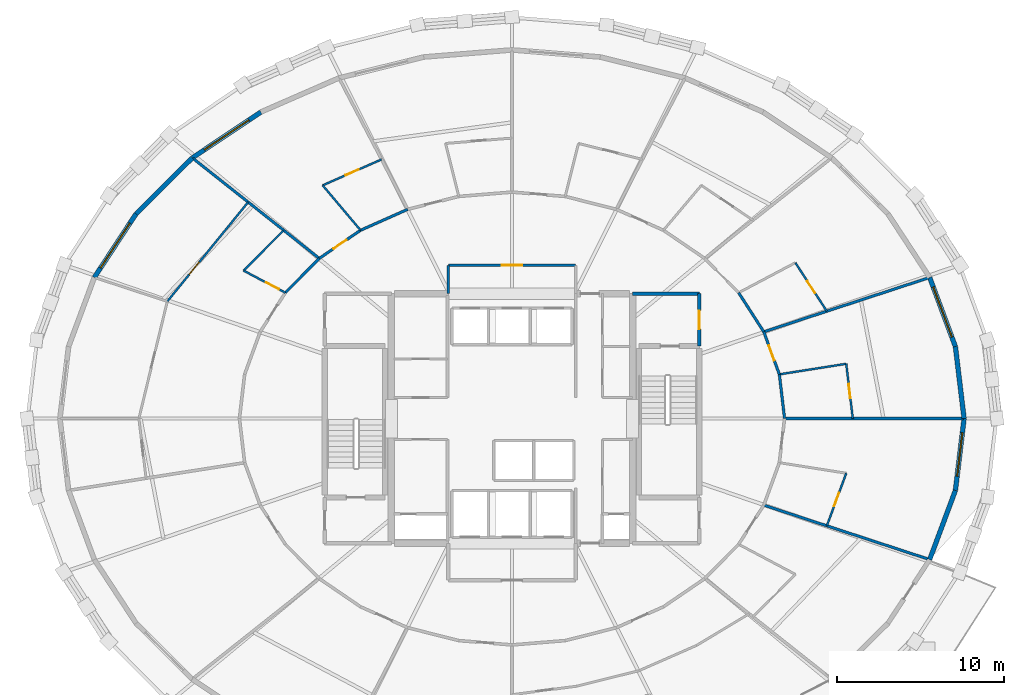
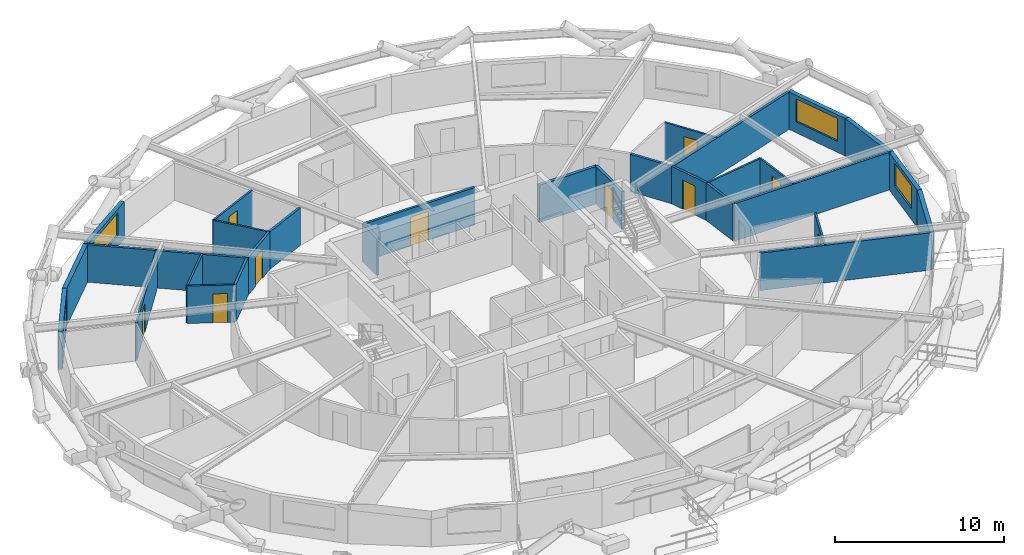
# One storey, part 12 of 14: 30 walls, 10 doors, 4 windows, 14 openings.
"""IFC4 building model written with IfcOpenShell, lengths in metres."""

from ifc_helpers import new_model, si_unit, direction, frame, frame_2d, origin, place, context, subcontext, project, spatial, rectangle, extrude, material, layer, layer_set, type_object, element, fill, save


model = new_model("IFC4")

# Units and contexts
model_context = context("Model", 3, precision=1e-05, world=origin(), true_north=direction((0.0, 1.0)))
body_context = subcontext(model_context, "Body", "Model", "MODEL_VIEW")
ifc_project = project(units=[si_unit("LENGTHUNIT", "METRE"), si_unit("AREAUNIT", "SQUARE_METRE"), si_unit("VOLUMEUNIT", "CUBIC_METRE"), si_unit("PLANEANGLEUNIT", "RADIAN"), si_unit("MASSUNIT", "GRAM", prefix="KILO")], contexts=[model_context])

# Site, building, storey
site_placement = place(None, origin())
site = spatial("IfcSite", under=ifc_project, at=site_placement, CompositionType="ELEMENT")
building_placement = place(site_placement, origin())
building = spatial("IfcBuilding", under=site, at=building_placement, Name="Veldorina Hangang Commons", CompositionType="ELEMENT")
storey_placement = place(building_placement, frame((0.0, 0.0, 88.0)))
storey = spatial("IfcBuildingStorey", under=building, at=storey_placement, Name="L22", CompositionType="ELEMENT", Elevation=88.0)

# Wall
ifc_material_1 = material(Name="Stone Roman Travertine", Category="masonry")
ifc_layer_1 = layer(ifc_material_1, 0.280029296875)
ifc_layer_set_1 = layer_set([ifc_layer_1], Name="Stone Roman Travertine")
wall_type_1 = type_object("IfcWallType", Name="EW-TRAV-280", PredefinedType="STANDARD", material=ifc_layer_set_1)
wall_1_placement = place(storey_placement, frame((58.99169921875, 24.0, 0.0), z_axis=(0.0, 0.0, 1.0), x_axis=(-0.11991322244, 0.992784376934, 0.0)))
element("IfcWall", 1, at=wall_1_placement, inside=storey, type_object=wall_type_1, Name="L22 travertine facade wall 00", PredefinedType="STANDARD", context=body_context, shape_type="SweptSolid", body=[
    extrude(rectangle(XDim=4.324462890625, YDim=0.280029296875, at=frame_2d((2.162109375, 0.0))), origin(), (0.0, 0.0, 1.0), 2.7099609375),
])

# Wall, opening, window
wall_2_placement = place(storey_placement, frame((58.47314453125, 28.293212890625, 0.0), z_axis=(0.0, 0.0, 1.0), x_axis=(-0.348747298865, 0.937216795376, 0.0)))
wall_2 = element("IfcWall", 2, at=wall_2_placement, inside=storey, type_object=wall_type_1, Name="L22 travertine facade wall 01", PredefinedType="STANDARD", context=body_context, shape_type="SweptSolid", body=[
    extrude(rectangle(XDim=4.40478515625, YDim=0.280029296875, at=frame_2d((2.202392578125, 0.0))), origin(), (0.0, 0.0, 1.0), 2.7099609375),
])
opening_1_placement = place(wall_2_placement, frame((0.602294921875, 0.0, 0.800048828125)))
opening_1 = element("IfcOpeningElement", 3, at=opening_1_placement, cuts=wall_2, Name="Opening W-01", PredefinedType="OPENING", context=body_context, shape_type="SweptSolid", body=[
    extrude(rectangle(XDim=3.199951171875, YDim=1.64990234375, at=frame_2d((1.60009765625, 0.824951171875))), frame((0.0, 0.14990234375, 0.0), z_axis=(0.0, -1.0, 0.0), x_axis=(1.0, 0.0, 0.0)), (0.0, 0.0, 1.0), 0.300048828125),
])
ifc_material_2 = material(Name="Glass Low-E Triple IGU", Category="glass")
window_type_1 = type_object("IfcWindowType", Name="WIN-TWR-3200", PartitioningType="SINGLE_PANEL", PredefinedType="WINDOW", material=ifc_material_2)
window_1_placement = place(opening_1_placement, origin())
window_1 = element("IfcWindow", 4, at=window_1_placement, inside=storey, type_object=window_type_1, Name="L22 facade window 01", OverallHeight=1.64990234375, OverallWidth=3.199951171875, PartitioningType="SINGLE_PANEL", PredefinedType="WINDOW", context=body_context, shape_type="SweptSolid", body=[
    extrude(rectangle(XDim=3.199951171875, YDim=1.64990234375, at=frame_2d((1.60009765625, 0.824951171875))), frame((0.0, 0.030029296875, 0.0), z_axis=(0.0, -1.0, 0.0), x_axis=(1.0, 0.0, 0.0)), (0.0, 0.0, 1.0), 0.06005859375),
])
fill(opening_1, window_1)

wall_3_placement = place(storey_placement, frame((17.004150390625, 42.297607421875, 0.0), z_axis=(0.0, 0.0, 1.0), x_axis=(-0.831102692713, -0.556118974829, 0.0)))
wall_3 = element("IfcWall", 5, at=wall_3_placement, inside=storey, type_object=wall_type_1, Name="L22 travertine facade wall 11", PredefinedType="STANDARD", context=body_context, shape_type="SweptSolid", body=[
    extrude(rectangle(XDim=4.92138671875, YDim=0.280029296875, at=frame_2d((2.460693359375, 0.0))), origin(), (0.0, 0.0, 1.0), 2.7099609375),
])
opening_2_placement = place(wall_3_placement, frame((0.860595703125, 0.0, 0.800048828125)))
opening_2 = element("IfcOpeningElement", 6, at=opening_2_placement, cuts=wall_3, Name="Opening W-01", PredefinedType="OPENING", context=body_context, shape_type="SweptSolid", body=[
    extrude(rectangle(XDim=3.199951171875, YDim=1.64990234375, at=frame_2d((1.60009765625, 0.824951171875))), frame((0.0, 0.14990234375, 0.0), z_axis=(0.0, -1.0, 0.0), x_axis=(1.0, 0.0, 0.0)), (0.0, 0.0, 1.0), 0.300048828125),
])
window_2_placement = place(opening_2_placement, origin())
window_2 = element("IfcWindow", 7, at=window_2_placement, inside=storey, type_object=window_type_1, Name="L22 facade window 11", OverallHeight=1.64990234375, OverallWidth=3.199951171875, PartitioningType="SINGLE_PANEL", PredefinedType="WINDOW", context=body_context, shape_type="SweptSolid", body=[
    extrude(rectangle(XDim=3.199951171875, YDim=1.64990234375, at=frame_2d((1.60009765625, 0.824951171875))), frame((0.0, 0.030029296875, 0.0), z_axis=(0.0, -1.0, 0.0), x_axis=(1.0, 0.0, 0.0)), (0.0, 0.0, 1.0), 0.06005859375),
])
fill(opening_2, window_2)

# Wall
wall_4_placement = place(storey_placement, frame((12.9140625, 39.560791015625, 0.0), z_axis=(0.0, 0.0, 1.0), x_axis=(-0.709450520297, -0.704755247763, 0.0)))
element("IfcWall", 8, at=wall_4_placement, inside=storey, type_object=wall_type_1, Name="L22 travertine facade wall 12", PredefinedType="STANDARD", context=body_context, shape_type="SweptSolid", body=[
    extrude(rectangle(XDim=4.731689453125, YDim=0.280029296875, at=frame_2d((2.36572265625, 0.0))), origin(), (0.0, 0.0, 1.0), 2.7099609375),
])

# Wall, opening, window
wall_5_placement = place(storey_placement, frame((9.55712890625, 36.22607421875, 0.0), z_axis=(0.0, 0.0, 1.0), x_axis=(-0.548243756992, -0.836318589366, 0.0)))
wall_5 = element("IfcWall", 9, at=wall_5_placement, inside=storey, type_object=wall_type_1, Name="L22 travertine facade wall 13", PredefinedType="STANDARD", context=body_context, shape_type="SweptSolid", body=[
    extrude(rectangle(XDim=4.54931640625, YDim=0.280029296875, at=frame_2d((2.274658203125, 0.0))), origin(), (0.0, 0.0, 1.0), 2.7099609375),
])
opening_3_placement = place(wall_5_placement, frame((0.6748046875, 0.0, 0.800048828125)))
opening_3 = element("IfcOpeningElement", 10, at=opening_3_placement, cuts=wall_5, Name="Opening W-01", PredefinedType="OPENING", context=body_context, shape_type="SweptSolid", body=[
    extrude(rectangle(XDim=3.199951171875, YDim=1.64990234375, at=frame_2d((1.60009765625, 0.824951171875))), frame((0.0, 0.14990234375, 0.0), z_axis=(0.0, -1.0, 0.0), x_axis=(1.0, 0.0, 0.0)), (0.0, 0.0, 1.0), 0.300048828125),
])
window_3_placement = place(opening_3_placement, origin())
window_3 = element("IfcWindow", 11, at=window_3_placement, inside=storey, type_object=window_type_1, Name="L22 facade window 13", OverallHeight=1.64990234375, OverallWidth=3.199951171875, PartitioningType="SINGLE_PANEL", PredefinedType="WINDOW", context=body_context, shape_type="SweptSolid", body=[
    extrude(rectangle(XDim=3.199951171875, YDim=1.64990234375, at=frame_2d((1.60009765625, 0.824951171875))), frame((0.0, 0.030029296875, 0.0), z_axis=(0.0, -1.0, 0.0), x_axis=(1.0, 0.0, 0.0)), (0.0, 0.0, 1.0), 0.06005859375),
])
fill(opening_3, window_3)

# Wall
wall_6_placement = place(storey_placement, frame((56.93701171875, 15.57861328125, 0.0), z_axis=(0.0, 0.0, 1.0), x_axis=(0.348747298865, 0.937216795376, 0.0)))
element("IfcWall", 12, at=wall_6_placement, inside=storey, type_object=wall_type_1, Name="L22 travertine facade wall 30", PredefinedType="STANDARD", context=body_context, shape_type="SweptSolid", body=[
    extrude(rectangle(XDim=4.40478515625, YDim=0.280029296875, at=frame_2d((2.202392578125, 0.0))), origin(), (0.0, 0.0, 1.0), 2.7099609375),
])

# Wall, opening, window
wall_7_placement = place(storey_placement, frame((58.47314453125, 19.706787109375, 0.0), z_axis=(0.0, 0.0, 1.0), x_axis=(0.11991322244, 0.992784376934, 0.0)))
wall_7 = element("IfcWall", 13, at=wall_7_placement, inside=storey, type_object=wall_type_1, Name="L22 travertine facade wall 31", PredefinedType="STANDARD", context=body_context, shape_type="SweptSolid", body=[
    extrude(rectangle(XDim=4.324462890625, YDim=0.280029296875, at=frame_2d((2.162109375, 0.0))), origin(), (0.0, 0.0, 1.0), 2.7099609375),
])
opening_4_placement = place(wall_7_placement, frame((0.8623046875, 0.0, 0.800048828125)))
opening_4 = element("IfcOpeningElement", 14, at=opening_4_placement, cuts=wall_7, Name="Opening W-02", PredefinedType="OPENING", context=body_context, shape_type="SweptSolid", body=[
    extrude(rectangle(XDim=2.60009765625, YDim=1.64990234375, at=frame_2d((1.300048828125, 0.824951171875))), frame((0.0, 0.14990234375, 0.0), z_axis=(0.0, -1.0, 0.0), x_axis=(1.0, 0.0, 0.0)), (0.0, 0.0, 1.0), 0.300048828125),
])
window_type_2 = type_object("IfcWindowType", Name="WIN-TWR-2600", PartitioningType="SINGLE_PANEL", PredefinedType="WINDOW", material=ifc_material_2)
window_4_placement = place(opening_4_placement, origin())
window_4 = element("IfcWindow", 15, at=window_4_placement, inside=storey, type_object=window_type_2, Name="L22 facade window 31", OverallHeight=1.64990234375, OverallWidth=2.60009765625, PartitioningType="SINGLE_PANEL", PredefinedType="WINDOW", context=body_context, shape_type="SweptSolid", body=[
    extrude(rectangle(XDim=2.60009765625, YDim=1.64990234375, at=frame_2d((1.300048828125, 0.824951171875))), frame((0.0, 0.030029296875, 0.0), z_axis=(0.0, -1.0, 0.0), x_axis=(1.0, 0.0, 0.0)), (0.0, 0.0, 1.0), 0.06005859375),
])
fill(opening_4, window_4)

# Wall
ifc_material_3 = material(Name="Gypsum Fire-Rated Twin Stud Wall", Category="gypsum")
ifc_layer_2 = layer(ifc_material_3, 0.159912109375)
ifc_layer_set_2 = layer_set([ifc_layer_2], Name="Gypsum Fire-Rated Twin Stud Wall")
wall_type_2 = type_object("IfcWallType", Name="WL-FIRE-160", PredefinedType="SOLIDWALL", material=ifc_layer_set_2)
wall_8_placement = place(storey_placement, frame((28.199951171875, 31.449951171875, 0.0), z_axis=(0.0, 0.0, 1.0), x_axis=(0.0, 1.0, 0.0)))
element("IfcWall", 16, at=wall_8_placement, inside=storey, type_object=wall_type_2, Name="L22 North lobby west wall 032", PredefinedType="SOLIDWALL", context=body_context, shape_type="SweptSolid", body=[
    extrude(rectangle(XDim=1.699951171875, YDim=0.159912109375, at=frame_2d((0.85009765625, 0.0))), origin(), (0.0, 0.0, 1.0), 2.7099609375),
])

# Wall, opening, door
wall_9_placement = place(storey_placement, frame((28.199951171875, 33.14990234375, 0.0), z_axis=(0.0, 0.0, 1.0), x_axis=(1.0, 0.0, 0.0)))
wall_9 = element("IfcWall", 17, at=wall_9_placement, inside=storey, type_object=wall_type_2, Name="L22 North lobby north wall 034", PredefinedType="SOLIDWALL", context=body_context, shape_type="SweptSolid", body=[
    extrude(rectangle(XDim=7.60009765625, YDim=0.159912109375, at=frame_2d((3.800048828125, 0.0))), origin(), (0.0, 0.0, 1.0), 2.7099609375),
])
opening_5_placement = place(wall_9_placement, frame((3.199951171875, 0.0, 0.0)))
opening_5 = element("IfcOpeningElement", 18, at=opening_5_placement, cuts=wall_9, Name="Opening D-09", PredefinedType="OPENING", context=body_context, shape_type="SweptSolid", body=[
    extrude(rectangle(XDim=1.199951171875, YDim=2.10009765625, at=frame_2d((0.60009765625, 1.050048828125))), frame((0.0, 0.08984375, 0.0), z_axis=(0.0, -1.0, 0.0), x_axis=(1.0, 0.0, 0.0)), (0.0, 0.0, 1.0), 0.179931640625),
])
ifc_material_4 = material(Name="Steel Fire-Rated Corridor Door", Category="steel")
door_type_1 = type_object("IfcDoorType", Name="DR-FIRE-1200", OperationType="SINGLE_SWING_LEFT", PredefinedType="DOOR", material=ifc_material_4)
door_1_placement = place(opening_5_placement, origin())
door_1 = element("IfcDoor", 19, at=door_1_placement, inside=storey, type_object=door_type_1, Name="L22 North lift lobby corridor door 012", OperationType="SINGLE_SWING_RIGHT", OverallHeight=2.10009765625, OverallWidth=1.199951171875, PredefinedType="DOOR", context=body_context, shape_type="SweptSolid", body=[
    extrude(rectangle(XDim=1.199951171875, YDim=2.10009765625, at=frame_2d((0.60009765625, 1.050048828125))), frame((0.0, 0.02490234375, 0.0), z_axis=(0.0, -1.0, 0.0), x_axis=(1.0, 0.0, 0.0)), (0.0, 0.0, 1.0), 0.050048828125),
])
fill(opening_5, door_1)

# Wall
wall_10_placement = place(storey_placement, frame((48.27392578125, 24.0, 0.0), z_axis=(0.0, 0.0, 1.0), x_axis=(-0.117763961213, 0.99304161516, 0.0)))
element("IfcWall", 20, at=wall_10_placement, inside=storey, type_object=wall_type_2, Name="L22 Corridor outer wall 00 047", PredefinedType="SOLIDWALL", context=body_context, shape_type="SweptSolid", body=[
    extrude(rectangle(XDim=2.65576171875, YDim=0.159912109375, at=frame_2d((1.327880859375, 0.0))), origin(), (0.0, 0.0, 1.0), 2.7099609375),
])

# Wall, opening, door
wall_11_placement = place(storey_placement, frame((47.961181640625, 26.63720703125, 0.0), z_axis=(0.0, 0.0, 1.0), x_axis=(-0.343013437329, 0.939330496583, 0.0)))
wall_11 = element("IfcWall", 21, at=wall_11_placement, inside=storey, type_object=wall_type_2, Name="L22 Corridor outer wall 01 048", PredefinedType="SOLIDWALL", context=body_context, shape_type="SweptSolid", body=[
    extrude(rectangle(XDim=2.69970703125, YDim=0.159912109375, at=frame_2d((1.349853515625, 0.0))), origin(), (0.0, 0.0, 1.0), 2.7099609375),
])
opening_6_placement = place(wall_11_placement, frame((0.875, 0.0, 0.0)))
opening_6 = element("IfcOpeningElement", 22, at=opening_6_placement, cuts=wall_11, Name="Opening D-03", PredefinedType="OPENING", context=body_context, shape_type="SweptSolid", body=[
    extrude(rectangle(XDim=0.949951171875, YDim=2.10009765625, at=frame_2d((0.47509765625, 1.050048828125))), frame((0.0, 0.08984375, 0.0), z_axis=(0.0, -1.0, 0.0), x_axis=(1.0, 0.0, 0.0)), (0.0, 0.0, 1.0), 0.179931640625),
])
ifc_material_5 = material(Name="Timber Fire-Rated Entrance Core", Category="wood")
door_type_2 = type_object("IfcDoorType", Name="DR-UNIT-950", OperationType="SINGLE_SWING_RIGHT", PredefinedType="DOOR", material=ifc_material_5)
door_2_placement = place(opening_6_placement, origin())
door_2 = element("IfcDoor", 23, at=door_2_placement, inside=storey, type_object=door_type_2, Name="L22 Studio 4 entrance door 028", OperationType="SINGLE_SWING_RIGHT", OverallHeight=2.10009765625, OverallWidth=0.949951171875, PredefinedType="DOOR", context=body_context, shape_type="SweptSolid", body=[
    extrude(rectangle(XDim=0.949951171875, YDim=2.10009765625, at=frame_2d((0.47509765625, 1.050048828125))), frame((0.0, 0.02490234375, 0.0), z_axis=(0.0, -1.0, 0.0), x_axis=(1.0, 0.0, 0.0)), (0.0, 0.0, 1.0), 0.050048828125),
])
fill(opening_6, door_2)

# Walls
wall_12_placement = place(storey_placement, frame((47.03515625, 29.173095703125, 0.0), z_axis=(0.0, 0.0, 1.0), x_axis=(-0.541126045017, 0.840941498206, 0.0)))
element("IfcWall", 24, at=wall_12_placement, inside=storey, type_object=wall_type_2, Name="L22 Corridor outer wall 02 049", PredefinedType="SOLIDWALL", context=body_context, shape_type="SweptSolid", body=[
    extrude(rectangle(XDim=2.779296875, YDim=0.159912109375, at=frame_2d((1.3896484375, 0.0))), origin(), (0.0, 0.0, 1.0), 2.7099609375),
])
wall_13_placement = place(storey_placement, frame((25.772216796875, 36.489013671875, 0.0), z_axis=(0.0, 0.0, 1.0), x_axis=(-0.913952123493, -0.405822024984, 0.0)))
element("IfcWall", 25, at=wall_13_placement, inside=storey, type_object=wall_type_2, Name="L22 Corridor outer wall 10 057", PredefinedType="SOLIDWALL", context=body_context, shape_type="SweptSolid", body=[
    extrude(rectangle(XDim=3.078369140625, YDim=0.159912109375, at=frame_2d((1.5390625, 0.0))), origin(), (0.0, 0.0, 1.0), 2.7099609375),
])

# Wall, opening, door
wall_14_placement = place(storey_placement, frame((22.958740234375, 35.23974609375, 0.0), z_axis=(0.0, 0.0, 1.0), x_axis=(-0.826293096206, -0.56324037423, 0.0)))
wall_14 = element("IfcWall", 26, at=wall_14_placement, inside=storey, type_object=wall_type_2, Name="L22 Corridor outer wall 11 058", PredefinedType="SOLIDWALL", context=body_context, shape_type="SweptSolid", body=[
    extrude(rectangle(XDim=2.98486328125, YDim=0.159912109375, at=frame_2d((1.492431640625, 0.0))), origin(), (0.0, 0.0, 1.0), 2.7099609375),
])
opening_7_placement = place(wall_14_placement, frame((1.017333984375, 0.0, 0.0)))
opening_7 = element("IfcOpeningElement", 27, at=opening_7_placement, cuts=wall_14, Name="Opening D-03", PredefinedType="OPENING", context=body_context, shape_type="SweptSolid", body=[
    extrude(rectangle(XDim=0.949951171875, YDim=2.10009765625, at=frame_2d((0.47509765625, 1.050048828125))), frame((0.0, 0.08984375, 0.0), z_axis=(0.0, -1.0, 0.0), x_axis=(1.0, 0.0, 0.0)), (0.0, 0.0, 1.0), 0.179931640625),
])
door_3_placement = place(opening_7_placement, origin())
door_3 = element("IfcDoor", 28, at=door_3_placement, inside=storey, type_object=door_type_2, Name="L22 Studio 9 entrance door 038", OperationType="SINGLE_SWING_RIGHT", OverallHeight=2.10009765625, OverallWidth=0.949951171875, PredefinedType="DOOR", context=body_context, shape_type="SweptSolid", body=[
    extrude(rectangle(XDim=0.949951171875, YDim=2.10009765625, at=frame_2d((0.47509765625, 1.050048828125))), frame((0.0, 0.02490234375, 0.0), z_axis=(0.0, -1.0, 0.0), x_axis=(1.0, 0.0, 0.0)), (0.0, 0.0, 1.0), 0.050048828125),
])
fill(opening_7, door_3)

# Walls
wall_15_placement = place(storey_placement, frame((20.492431640625, 33.55859375, 0.0), z_axis=(0.0, 0.0, 1.0), x_axis=(-0.702811997, -0.711375636969, 0.0)))
element("IfcWall", 29, at=wall_15_placement, inside=storey, type_object=wall_type_2, Name="L22 Corridor outer wall 12 059", PredefinedType="SOLIDWALL", context=body_context, shape_type="SweptSolid", body=[
    extrude(rectangle(XDim=2.87939453125, YDim=0.159912109375, at=frame_2d((1.439697265625, 0.0))), origin(), (0.0, 0.0, 1.0), 2.7099609375),
])
wall_16_placement = place(storey_placement, frame((47.03515625, 18.826904296875, 0.0), z_axis=(0.0, 0.0, 1.0), x_axis=(0.950181432226, -0.311697362603, 0.0)))
element("IfcWall", 30, at=wall_16_placement, inside=storey, type_object=wall_type_2, Name="L22 Unit party wall 30 087", PredefinedType="SOLIDWALL", context=body_context, shape_type="SweptSolid", body=[
    extrude(rectangle(XDim=10.37109375, YDim=0.159912109375, at=frame_2d((5.185546875, 0.0))), origin(), (0.0, 0.0, 1.0), 2.7099609375),
])
wall_17_placement = place(storey_placement, frame((48.27392578125, 24.0, 0.0), z_axis=(0.0, 0.0, 1.0), x_axis=(1.0, 0.0, 0.0)))
element("IfcWall", 31, at=wall_17_placement, inside=storey, type_object=wall_type_2, Name="L22 Unit party wall 00 090", PredefinedType="SOLIDWALL", context=body_context, shape_type="SweptSolid", body=[
    extrude(rectangle(XDim=10.667724609375, YDim=0.159912109375, at=frame_2d((5.333984375, 0.0))), origin(), (0.0, 0.0, 1.0), 2.7099609375),
])
wall_18_placement = place(storey_placement, frame((47.03515625, 29.173095703125, 0.0), z_axis=(0.0, 0.0, 1.0), x_axis=(0.950181432226, 0.311697362603, 0.0)))
element("IfcWall", 32, at=wall_18_placement, inside=storey, type_object=wall_type_2, Name="L22 Unit party wall 02 093", PredefinedType="SOLIDWALL", context=body_context, shape_type="SweptSolid", body=[
    extrude(rectangle(XDim=10.37109375, YDim=0.159912109375, at=frame_2d((5.185546875, 0.0))), origin(), (0.0, 0.0, 1.0), 2.7099609375),
])
wall_19_placement = place(storey_placement, frame((20.492431640625, 33.55859375, 0.0), z_axis=(0.0, 0.0, 1.0), x_axis=(-0.783915576776, 0.620867432298, 0.0)))
element("IfcWall", 33, at=wall_19_placement, inside=storey, type_object=wall_type_2, Name="L22 Unit party wall 12 108", PredefinedType="SOLIDWALL", context=body_context, shape_type="SweptSolid", body=[
    extrude(rectangle(XDim=9.617431640625, YDim=0.159912109375, at=frame_2d((4.80859375, 0.0))), origin(), (0.0, 0.0, 1.0), 2.7099609375),
])

# Wall, opening, door
ifc_material_6 = material(Name="Concrete Blockwork Fire Wall C30/37", Category="masonry")
ifc_layer_3 = layer(ifc_material_6, 0.199951171875)
ifc_layer_set_3 = layer_set([ifc_layer_3], Name="Concrete Blockwork Fire Wall C30/37")
wall_type_3 = type_object("IfcWallType", Name="WL-FIRE-200", PredefinedType="SOLIDWALL", material=ifc_layer_set_3)
wall_20_placement = place(storey_placement, frame((43.179931640625, 28.320068359375, 0.0), z_axis=(0.0, 0.0, 1.0), x_axis=(0.0, 1.0, 0.0)))
wall_20 = element("IfcWall", 34, at=wall_20_placement, inside=storey, type_object=wall_type_3, Name="L22 East vestibule outer wall 003", PredefinedType="SOLIDWALL", context=body_context, shape_type="SweptSolid", body=[
    extrude(rectangle(XDim=3.1298828125, YDim=0.199951171875, at=frame_2d((1.56494140625, 0.0))), origin(), (0.0, 0.0, 1.0), 2.7099609375),
])
opening_8_placement = place(wall_20_placement, frame((1.014892578125, 0.0, 0.0)))
opening_8 = element("IfcOpeningElement", 35, at=opening_8_placement, cuts=wall_20, Name="Opening D-08", PredefinedType="OPENING", context=body_context, shape_type="SweptSolid", body=[
    extrude(rectangle(XDim=1.10009765625, YDim=2.10009765625, at=frame_2d((0.550048828125, 1.050048828125))), frame((0.0, 0.10986328125, 0.0), z_axis=(0.0, -1.0, 0.0), x_axis=(1.0, 0.0, 0.0)), (0.0, 0.0, 1.0), 0.219970703125),
])
ifc_material_7 = material(Name="Steel Fire-Rated Smoke Seal", Category="steel")
door_type_3 = type_object("IfcDoorType", Name="DR-FIRE-1100", OperationType="SINGLE_SWING_RIGHT", PredefinedType="DOOR", material=ifc_material_7)
door_4_placement = place(opening_8_placement, origin())
door_4 = element("IfcDoor", 36, at=door_4_placement, inside=storey, type_object=door_type_3, Name="L22 East vestibule east door 002", OperationType="SINGLE_SWING_RIGHT", OverallHeight=2.10009765625, OverallWidth=1.10009765625, PredefinedType="DOOR", context=body_context, shape_type="SweptSolid", body=[
    extrude(rectangle(XDim=1.10009765625, YDim=2.10009765625, at=frame_2d((0.550048828125, 1.050048828125))), frame((0.0, 0.02490234375, 0.0), z_axis=(0.0, -1.0, 0.0), x_axis=(1.0, 0.0, 0.0)), (0.0, 0.0, 1.0), 0.050048828125),
])
fill(opening_8, door_4)

# Wall
wall_21_placement = place(storey_placement, frame((39.199951171875, 31.449951171875, 0.0), z_axis=(0.0, 0.0, 1.0), x_axis=(1.0, 0.0, 0.0)))
element("IfcWall", 37, at=wall_21_placement, inside=storey, type_object=wall_type_3, Name="L22 East vestibule north wall 004", PredefinedType="SOLIDWALL", context=body_context, shape_type="SweptSolid", body=[
    extrude(rectangle(XDim=3.97998046875, YDim=0.199951171875, at=frame_2d((1.989990234375, 0.0))), origin(), (0.0, 0.0, 1.0), 2.7099609375),
])

# Wall, opening, door
ifc_material_8 = material(Name="Gypsum Acoustic Stud Partition", Category="gypsum")
ifc_layer_4 = layer(ifc_material_8, 0.1201171875)
ifc_layer_set_4 = layer_set([ifc_layer_4], Name="Gypsum Acoustic Stud Partition")
wall_type_4 = type_object("IfcWallType", Name="WL-PART-120", PredefinedType="PARTITIONING", material=ifc_layer_set_4)
wall_22_placement = place(storey_placement, frame((50.7978515625, 17.592529296875, 0.0), z_axis=(0.0, 0.0, 1.0), x_axis=(0.345914895338, 0.938265892582, 0.0)))
wall_22 = element("IfcWall", 38, at=wall_22_placement, inside=storey, type_object=wall_type_4, Name="L22 Studio 3 bath front wall 088", PredefinedType="PARTITIONING", context=body_context, shape_type="SweptSolid", body=[
    extrude(rectangle(XDim=3.347412109375, YDim=0.1201171875, at=frame_2d((1.673828125, 0.0))), origin(), (0.0, 0.0, 1.0), 2.7099609375),
])
opening_9_placement = place(wall_22_placement, frame((1.243896484375, 0.0, 0.0)))
opening_9 = element("IfcOpeningElement", 39, at=opening_9_placement, cuts=wall_22, Name="Opening D-01", PredefinedType="OPENING", context=body_context, shape_type="SweptSolid", body=[
    extrude(rectangle(XDim=0.860107421875, YDim=2.10009765625, at=frame_2d((0.43017578125, 1.050048828125))), frame((0.0, 0.070068359375, 0.0), z_axis=(0.0, -1.0, 0.0), x_axis=(1.0, 0.0, 0.0)), (0.0, 0.0, 1.0), 0.14013671875),
])
ifc_material_9 = material(Name="Timber Moisture-Resistant Core", Category="wood")
door_type_4 = type_object("IfcDoorType", Name="DR-WET-860", OperationType="SINGLE_SWING_LEFT", PredefinedType="DOOR", material=ifc_material_9)
door_5_placement = place(opening_9_placement, origin())
door_5 = element("IfcDoor", 40, at=door_5_placement, inside=storey, type_object=door_type_4, Name="L22 Studio 3 bathroom door 025", OperationType="SINGLE_SWING_LEFT", OverallHeight=2.10009765625, OverallWidth=0.860107421875, PredefinedType="DOOR", context=body_context, shape_type="SweptSolid", body=[
    extrude(rectangle(XDim=0.860107421875, YDim=2.10009765625, at=frame_2d((0.43017578125, 1.050048828125))), frame((0.0, 0.02490234375, 0.0), z_axis=(0.0, -1.0, 0.0), x_axis=(1.0, 0.0, 0.0)), (0.0, 0.0, 1.0), 0.050048828125),
])
fill(opening_9, door_5)

wall_23_placement = place(storey_placement, frame((52.3466796875, 24.0, 0.0), z_axis=(0.0, 0.0, 1.0), x_axis=(-0.118808697947, 0.992917163359, 0.0)))
wall_23 = element("IfcWall", 41, at=wall_23_placement, inside=storey, type_object=wall_type_4, Name="L22 Studio 4 bath front wall 091", PredefinedType="PARTITIONING", context=body_context, shape_type="SweptSolid", body=[
    extrude(rectangle(XDim=3.289794921875, YDim=0.1201171875, at=frame_2d((1.64501953125, 0.0))), origin(), (0.0, 0.0, 1.0), 2.7099609375),
])
opening_10_placement = place(wall_23_placement, frame((1.21484375, 0.0, 0.0)))
opening_10 = element("IfcOpeningElement", 42, at=opening_10_placement, cuts=wall_23, Name="Opening D-01", PredefinedType="OPENING", context=body_context, shape_type="SweptSolid", body=[
    extrude(rectangle(XDim=0.860107421875, YDim=2.10009765625, at=frame_2d((0.43017578125, 1.050048828125))), frame((0.0, 0.070068359375, 0.0), z_axis=(0.0, -1.0, 0.0), x_axis=(1.0, 0.0, 0.0)), (0.0, 0.0, 1.0), 0.14013671875),
])
door_6_placement = place(opening_10_placement, origin())
door_6 = element("IfcDoor", 43, at=door_6_placement, inside=storey, type_object=door_type_4, Name="L22 Studio 4 bathroom door 027", OperationType="SINGLE_SWING_LEFT", OverallHeight=2.10009765625, OverallWidth=0.860107421875, PredefinedType="DOOR", context=body_context, shape_type="SweptSolid", body=[
    extrude(rectangle(XDim=0.860107421875, YDim=2.10009765625, at=frame_2d((0.43017578125, 1.050048828125))), frame((0.0, 0.02490234375, 0.0), z_axis=(0.0, -1.0, 0.0), x_axis=(1.0, 0.0, 0.0)), (0.0, 0.0, 1.0), 0.050048828125),
])
fill(opening_10, door_6)

# Wall
wall_24_placement = place(storey_placement, frame((47.961181640625, 26.63720703125, 0.0), z_axis=(0.0, 0.0, 1.0), x_axis=(0.987813821357, 0.155640143715, 0.0)))
element("IfcWall", 44, at=wall_24_placement, inside=storey, type_object=wall_type_4, Name="L22 Studio 4 bath side wall 092", PredefinedType="PARTITIONING", context=body_context, shape_type="SweptSolid", body=[
    extrude(rectangle(XDim=4.0439453125, YDim=0.1201171875, at=frame_2d((2.02197265625, 0.0))), origin(), (0.0, 0.0, 1.0), 2.7099609375),
])

# Wall, opening, door
wall_25_placement = place(storey_placement, frame((50.7978515625, 30.407470703125, 0.0), z_axis=(0.0, 0.0, 1.0), x_axis=(-0.544687497821, 0.83863909384, 0.0)))
wall_25 = element("IfcWall", 45, at=wall_25_placement, inside=storey, type_object=wall_type_4, Name="L22 Studio 5 bath front wall 094", PredefinedType="PARTITIONING", context=body_context, shape_type="SweptSolid", body=[
    extrude(rectangle(XDim=3.45166015625, YDim=0.1201171875, at=frame_2d((1.725830078125, 0.0))), origin(), (0.0, 0.0, 1.0), 2.7099609375),
])
opening_11_placement = place(wall_25_placement, frame((1.2958984375, 0.0, 0.0)))
opening_11 = element("IfcOpeningElement", 46, at=opening_11_placement, cuts=wall_25, Name="Opening D-01", PredefinedType="OPENING", context=body_context, shape_type="SweptSolid", body=[
    extrude(rectangle(XDim=0.860107421875, YDim=2.10009765625, at=frame_2d((0.43017578125, 1.050048828125))), frame((0.0, 0.070068359375, 0.0), z_axis=(0.0, -1.0, 0.0), x_axis=(1.0, 0.0, 0.0)), (0.0, 0.0, 1.0), 0.14013671875),
])
door_7_placement = place(opening_11_placement, origin())
door_7 = element("IfcDoor", 47, at=door_7_placement, inside=storey, type_object=door_type_4, Name="L22 Studio 5 bathroom door 029", OperationType="SINGLE_SWING_LEFT", OverallHeight=2.10009765625, OverallWidth=0.860107421875, PredefinedType="DOOR", context=body_context, shape_type="SweptSolid", body=[
    extrude(rectangle(XDim=0.860107421875, YDim=2.10009765625, at=frame_2d((0.43017578125, 1.050048828125))), frame((0.0, 0.02490234375, 0.0), z_axis=(0.0, -1.0, 0.0), x_axis=(1.0, 0.0, 0.0)), (0.0, 0.0, 1.0), 0.050048828125),
])
fill(opening_11, door_7)

wall_26_placement = place(storey_placement, frame((24.213623046875, 39.468994140625, 0.0), z_axis=(0.0, 0.0, 1.0), x_axis=(-0.91535062649, -0.40265770896, 0.0)))
wall_26 = element("IfcWall", 48, at=wall_26_placement, inside=storey, type_object=wall_type_4, Name="L22 Studio 9 bath front wall 106", PredefinedType="PARTITIONING", context=body_context, shape_type="SweptSolid", body=[
    extrude(rectangle(XDim=3.8427734375, YDim=0.1201171875, at=frame_2d((1.92138671875, 0.0))), origin(), (0.0, 0.0, 1.0), 2.7099609375),
])
opening_12_placement = place(wall_26_placement, frame((1.491455078125, 0.0, 0.0)))
opening_12 = element("IfcOpeningElement", 49, at=opening_12_placement, cuts=wall_26, Name="Opening D-01", PredefinedType="OPENING", context=body_context, shape_type="SweptSolid", body=[
    extrude(rectangle(XDim=0.860107421875, YDim=2.10009765625, at=frame_2d((0.43017578125, 1.050048828125))), frame((0.0, 0.070068359375, 0.0), z_axis=(0.0, -1.0, 0.0), x_axis=(1.0, 0.0, 0.0)), (0.0, 0.0, 1.0), 0.14013671875),
])
door_8_placement = place(opening_12_placement, origin())
door_8 = element("IfcDoor", 50, at=door_8_placement, inside=storey, type_object=door_type_4, Name="L22 Studio 9 bathroom door 037", OperationType="SINGLE_SWING_LEFT", OverallHeight=2.10009765625, OverallWidth=0.860107421875, PredefinedType="DOOR", context=body_context, shape_type="SweptSolid", body=[
    extrude(rectangle(XDim=0.860107421875, YDim=2.10009765625, at=frame_2d((0.43017578125, 1.050048828125))), frame((0.0, 0.02490234375, 0.0), z_axis=(0.0, -1.0, 0.0), x_axis=(1.0, 0.0, 0.0)), (0.0, 0.0, 1.0), 0.050048828125),
])
fill(opening_12, door_8)

# Walls
wall_27_placement = place(storey_placement, frame((22.958740234375, 35.23974609375, 0.0), z_axis=(0.0, 0.0, 1.0), x_axis=(-0.644846806951, 0.764311844449, 0.0)))
element("IfcWall", 51, at=wall_27_placement, inside=storey, type_object=wall_type_4, Name="L22 Studio 9 bath side wall 107", PredefinedType="PARTITIONING", context=body_context, shape_type="SweptSolid", body=[
    extrude(rectangle(XDim=3.5087890625, YDim=0.1201171875, at=frame_2d((1.75439453125, 0.0))), origin(), (0.0, 0.0, 1.0), 2.7099609375),
])
wall_28_placement = place(storey_placement, frame((18.37060546875, 35.2392578125, 0.0), z_axis=(0.0, 0.0, 1.0), x_axis=(-0.705416478994, -0.708793052424, 0.0)))
element("IfcWall", 52, at=wall_28_placement, inside=storey, type_object=wall_type_4, Name="L22 Cluster 10 bath front wall 109", PredefinedType="PARTITIONING", context=body_context, shape_type="SweptSolid", body=[
    extrude(rectangle(XDim=3.398193359375, YDim=0.1201171875, at=frame_2d((1.69921875, 0.0))), origin(), (0.0, 0.0, 1.0), 2.7099609375),
])

# Wall, opening, door
wall_29_placement = place(storey_placement, frame((18.46875, 31.51025390625, 0.0), z_axis=(0.0, 0.0, 1.0), x_axis=(-0.883899378737, 0.467677119676, 0.0)))
wall_29 = element("IfcWall", 53, at=wall_29_placement, inside=storey, type_object=wall_type_4, Name="L22 Cluster 10 bath side wall 110", PredefinedType="PARTITIONING", context=body_context, shape_type="SweptSolid", body=[
    extrude(rectangle(XDim=2.8232421875, YDim=0.1201171875, at=frame_2d((1.41162109375, 0.0))), origin(), (0.0, 0.0, 1.0), 2.7099609375),
])
opening_13_placement = place(wall_29_placement, frame((0.43994140625, 0.0, 0.0)))
opening_13 = element("IfcOpeningElement", 54, at=opening_13_placement, cuts=wall_29, Name="Opening D-01", PredefinedType="OPENING", context=body_context, shape_type="SweptSolid", body=[
    extrude(rectangle(XDim=0.860107421875, YDim=2.10009765625, at=frame_2d((0.43017578125, 1.050048828125))), frame((0.0, 0.070068359375, 0.0), z_axis=(0.0, -1.0, 0.0), x_axis=(1.0, 0.0, 0.0)), (0.0, 0.0, 1.0), 0.14013671875),
])
door_9_placement = place(opening_13_placement, origin())
door_9 = element("IfcDoor", 55, at=door_9_placement, inside=storey, type_object=door_type_4, Name="L22 Cluster 10 shared bathroom door 039", OperationType="SINGLE_SWING_LEFT", OverallHeight=2.10009765625, OverallWidth=0.860107421875, PredefinedType="DOOR", context=body_context, shape_type="SweptSolid", body=[
    extrude(rectangle(XDim=0.860107421875, YDim=2.10009765625, at=frame_2d((0.43017578125, 1.050048828125))), frame((0.0, 0.02490234375, 0.0), z_axis=(0.0, -1.0, 0.0), x_axis=(1.0, 0.0, 0.0)), (0.0, 0.0, 1.0), 0.050048828125),
])
fill(opening_13, door_9)

wall_30_placement = place(storey_placement, frame((16.24853515625, 36.919921875, 0.0), z_axis=(0.0, 0.0, 1.0), x_axis=(-0.631582679141, -0.775308531753, 0.0)))
wall_30 = element("IfcWall", 56, at=wall_30_placement, inside=storey, type_object=wall_type_4, Name="L22 Cluster 10 bed 1 front wall 111", PredefinedType="PARTITIONING", context=body_context, shape_type="SweptSolid", body=[
    extrude(rectangle(XDim=7.645751953125, YDim=0.1201171875, at=frame_2d((3.82275390625, 0.0))), origin(), (0.0, 0.0, 1.0), 2.7099609375),
])
opening_14_placement = place(wall_30_placement, frame((4.627197265625, 0.0, 0.0)))
opening_14 = element("IfcOpeningElement", 57, at=opening_14_placement, cuts=wall_30, Name="Opening D-02", PredefinedType="OPENING", context=body_context, shape_type="SweptSolid", body=[
    extrude(rectangle(XDim=0.949951171875, YDim=2.10009765625, at=frame_2d((0.47509765625, 1.050048828125))), frame((0.0, 0.070068359375, 0.0), z_axis=(0.0, -1.0, 0.0), x_axis=(1.0, 0.0, 0.0)), (0.0, 0.0, 1.0), 0.14013671875),
])
ifc_material_10 = material(Name="Timber Solid Core Acoustic", Category="wood")
door_type_5 = type_object("IfcDoorType", Name="DR-INT-950", OperationType="SINGLE_SWING_LEFT", PredefinedType="DOOR", material=ifc_material_10)
door_10_placement = place(opening_14_placement, origin())
door_10 = element("IfcDoor", 58, at=door_10_placement, inside=storey, type_object=door_type_5, Name="L22 Cluster 10 bed 1 door 041", OperationType="SINGLE_SWING_LEFT", OverallHeight=2.10009765625, OverallWidth=0.949951171875, PredefinedType="DOOR", context=body_context, shape_type="SweptSolid", body=[
    extrude(rectangle(XDim=0.949951171875, YDim=2.10009765625, at=frame_2d((0.47509765625, 1.050048828125))), frame((0.0, 0.02490234375, 0.0), z_axis=(0.0, -1.0, 0.0), x_axis=(1.0, 0.0, 0.0)), (0.0, 0.0, 1.0), 0.050048828125),
])
fill(opening_14, door_10)

save(model, "model.ifc")
